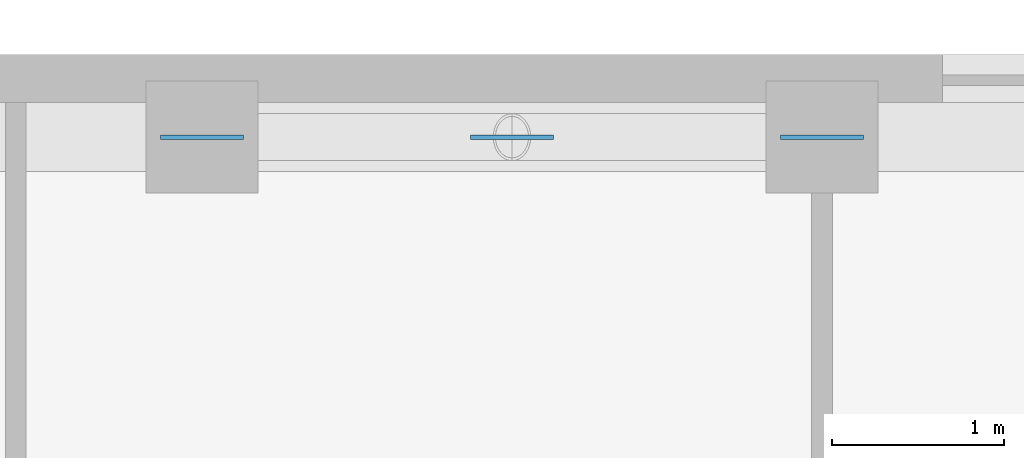
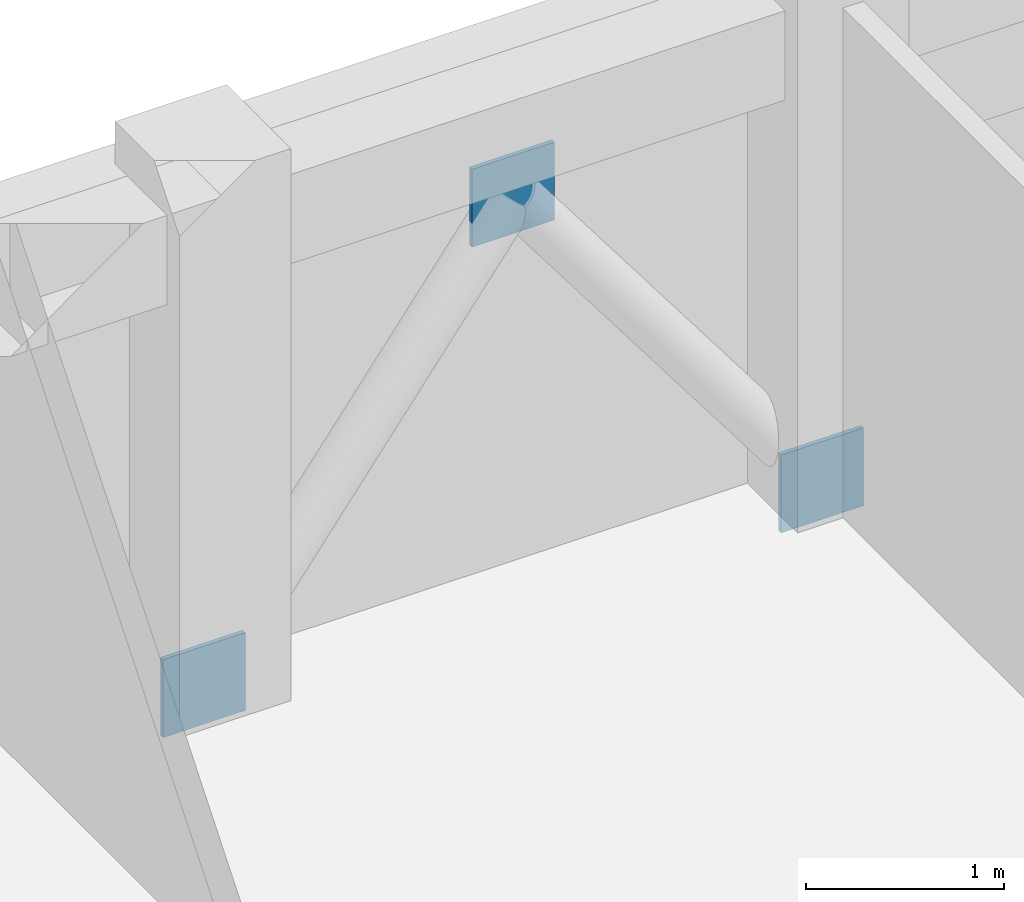
# One storey, part 9 of 11: 3 discrete accessories.
"""IFC4 building model written with IfcOpenShell, lengths in metres."""

from ifc_helpers import new_model, si_unit, derived_unit, direction, frame, origin, origin_2d, place, context, subcontext, project, spatial, rectangle, extrude, material, layer, layer_set, type_object, element, save


model = new_model("IFC4")

# Units and contexts
model_context = context("Model", 3, precision=1e-05, world=origin(), true_north=direction((0.0, 1.0)))
body_context = subcontext(model_context, "Body", "Model", "MODEL_VIEW")
ifc_project = project(units=[si_unit("LENGTHUNIT", "METRE"), si_unit("AREAUNIT", "SQUARE_METRE"), si_unit("VOLUMEUNIT", "CUBIC_METRE"), si_unit("PLANEANGLEUNIT", "RADIAN"), si_unit("MASSUNIT", "GRAM", prefix="KILO"), derived_unit("THERMALTRANSMITTANCEUNIT", [(si_unit("MASSUNIT", "GRAM", prefix="KILO"), 1), (si_unit("TIMEUNIT", "SECOND"), -3), (si_unit("THERMODYNAMICTEMPERATUREUNIT", "KELVIN"), -1)])], contexts=[model_context])

# Site, building, storey
site_placement = place(None, origin())
site = spatial("IfcSite", under=ifc_project, at=site_placement, CompositionType="ELEMENT")
building_placement = place(site_placement, origin())
building = spatial("IfcBuilding", under=site, at=building_placement, Name="Korrvale Station Residences", CompositionType="ELEMENT")
storey_placement = place(building_placement, frame((0.0, 0.0, 241.10009765625)))
storey = spatial("IfcBuildingStorey", under=building, at=storey_placement, Name="L70", CompositionType="ELEMENT", Elevation=241.10009765625)

# Discrete accessories
ifc_material = material(Name="Steel S355", Category="steel")
ifc_layer = layer(ifc_material, 0.02490234375, Name="Steel S355")
ifc_layer_set = layer_set([ifc_layer], Name="Steel S355")
discrete_accessory_type = type_object("IfcDiscreteAccessoryType", Name="ACC-GUSSET-25", PredefinedType="BRACKET", material=ifc_layer_set)
for number, where, z_axis, x_axis, name in (
    (1, (23.199951171875, 39.719970703125, -0.219970703125), (0.0, 0.0, 1.0), (1.0, 0.0, 0.0), "L70 N Brace End Gusset Connection A"),
    (2, (26.800048828125, 39.719970703125, -0.219970703125), (0.0, 0.0, 1.0), (1.0, 0.0, 0.0), "L70 N Brace End Gusset Connection B"),
    (3, (25.0, 39.719970703125, 2.169921875), (0.0, 0.0, 1.0), (1.0, 0.0, 0.0), "L70 N Brace End Gusset Connection M"),
):
    element("IfcDiscreteAccessory", number, at=place(storey_placement, frame(where, z_axis=z_axis, x_axis=x_axis)), inside=storey, type_object=discrete_accessory_type, Name=name, PredefinedType="BRACKET", context=body_context, shape_type="SweptSolid", body=[
        extrude(rectangle(XDim=0.47998046875, YDim=0.02490234375, at=origin_2d()), origin(), (0.0, 0.0, 1.0), 0.47998046875),
    ])

save(model, "model.ifc")
